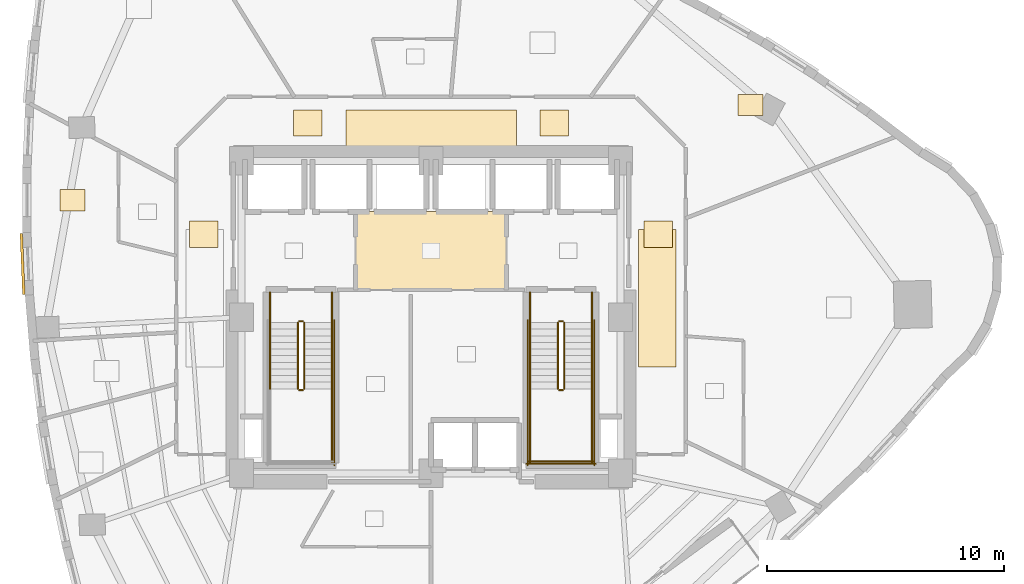
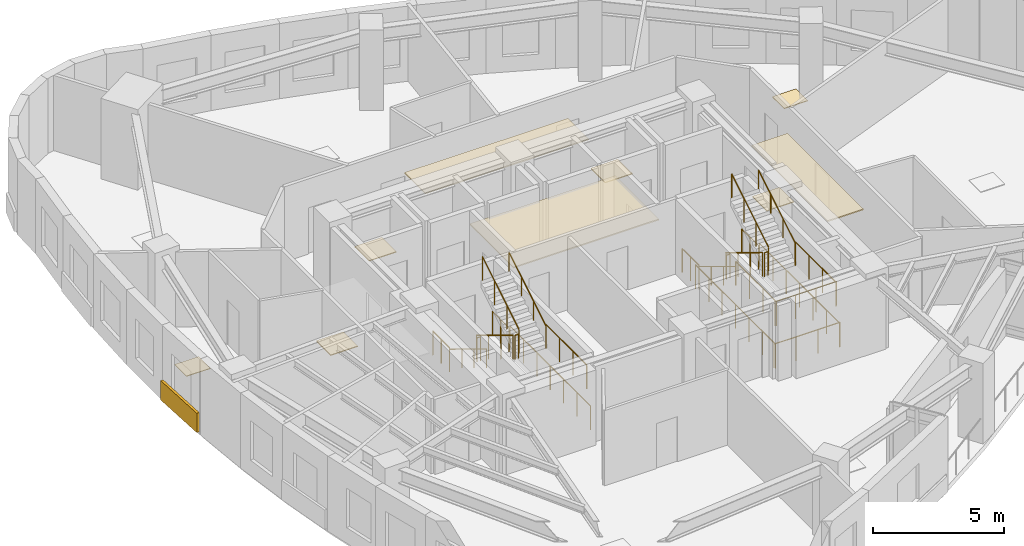
# One storey, part 10 of 11: 24 railings, 10 coverings.
"""IFC4 building model written with IfcOpenShell, lengths in metres."""

from ifc_helpers import new_model, si_unit, direction, frame, origin, origin_2d, place, context, subcontext, project, spatial, rectangle, circle, extrude, material, layer, layer_set, type_object, element, save


model = new_model("IFC4")

# Units and contexts
model_context = context("Model", 3, precision=1e-05, world=origin(), true_north=direction((0.0, 1.0)))
body_context = subcontext(model_context, "Body", "Model", "MODEL_VIEW")
ifc_project = project(units=[si_unit("LENGTHUNIT", "METRE"), si_unit("AREAUNIT", "SQUARE_METRE"), si_unit("VOLUMEUNIT", "CUBIC_METRE"), si_unit("PLANEANGLEUNIT", "RADIAN"), si_unit("MASSUNIT", "GRAM", prefix="KILO")], contexts=[model_context])

# Site, building, storey
site_placement = place(None, origin())
site = spatial("IfcSite", under=ifc_project, at=site_placement, CompositionType="ELEMENT")
building_placement = place(site_placement, origin())
building = spatial("IfcBuilding", under=site, at=building_placement, Name="Ndelora Gate Hotel", CompositionType="ELEMENT")
storey_placement = place(building_placement, frame((0.0, 0.0, 146.0)))
storey = spatial("IfcBuildingStorey", under=building, at=storey_placement, Name="L36", CompositionType="ELEMENT", Elevation=146.0)

# Coverings
ifc_material_1 = material(Name="Perforated Acoustic Gypsum Board", Category="gypsum")
ifc_layer_1 = layer(ifc_material_1, 0.054931640625)
ifc_layer_set_1 = layer_set([ifc_layer_1], Name="Perforated Acoustic Gypsum Board")
covering_type_1 = type_object("IfcCoveringType", Name="COV-CEIL-AC60", PredefinedType="CEILING", material=ifc_layer_set_1)
covering_1_placement = place(storey_placement, frame((0.0, 2.800048828125, 2.72265625), z_axis=(0.0, 0.0, 1.0), x_axis=(1.0, 0.0, 0.0)))
element("IfcCovering", 1, at=covering_1_placement, inside=storey, type_object=covering_type_1, Name="L36 Lift Lobby Acoustic Ceiling", PredefinedType="CEILING", context=body_context, shape_type="SweptSolid", body=[
    extrude(rectangle(XDim=6.39990234375, YDim=3.340087890625, at=origin_2d()), origin(), (0.0, 0.0, 1.0), 0.054931640625),
])
covering_2_placement = place(storey_placement, frame((0.0, 7.9599609375, 2.65234375), z_axis=(0.0, 0.0, 1.0), x_axis=(1.0, 0.0, 0.0)))
element("IfcCovering", 2, at=covering_2_placement, inside=storey, type_object=covering_type_1, Name="L36 Guest Corridor Acoustic Ceiling N", PredefinedType="CEILING", context=body_context, shape_type="SweptSolid", body=[
    extrude(rectangle(XDim=7.199951171875, YDim=1.580078125, at=origin_2d()), origin(), (0.0, 0.0, 1.0), 0.054931640625),
])
covering_3_placement = place(storey_placement, frame((9.550048828125, 0.800048828125, 2.65234375), z_axis=(0.0, 0.0, 1.0), x_axis=(1.0, 0.0, 0.0)))
element("IfcCovering", 3, at=covering_3_placement, inside=storey, type_object=covering_type_1, Name="L36 Guest Corridor Acoustic Ceiling E", PredefinedType="CEILING", context=body_context, shape_type="SweptSolid", body=[
    extrude(rectangle(XDim=1.580078125, YDim=5.800048828125, at=origin_2d()), origin(), (0.0, 0.0, 1.0), 0.054931640625),
])
ifc_material_2 = material(Name="Terracotta Fired Clay Brick Slip Cladding", Category="masonry")
ifc_layer_2 = layer(ifc_material_2, 0.110107421875)
ifc_layer_set_2 = layer_set([ifc_layer_2], Name="Terracotta Fired Clay Brick Slip Cladding")
covering_type_2 = type_object("IfcCoveringType", Name="COV-CLAD-BRK", PredefinedType="CLADDING", material=ifc_layer_set_2)
covering_4_placement = place(storey_placement, frame((-17.249755859375, 2.242431640625, 0.10009765625), z_axis=(0.0, 0.0, 1.0), x_axis=(-0.041003738744, 0.999158993058, 0.0)))
element("IfcCovering", 4, at=covering_4_placement, inside=storey, type_object=covering_type_2, Name="L36 Rounded-Corner Brick Cladding Band 13", PredefinedType="CLADDING", context=body_context, shape_type="SweptSolid", body=[
    extrude(rectangle(XDim=2.583984375, YDim=0.110107421875, at=origin_2d()), origin(), (0.0, 0.0, 1.0), 0.89990234375),
])
ifc_material_3 = material(Name="Engineered Highland Oak Parquet", Category="wood")
ifc_layer_3 = layer(ifc_material_3, 0.030029296875)
ifc_layer_set_3 = layer_set([ifc_layer_3], Name="Engineered Highland Oak Parquet")
covering_type_3 = type_object("IfcCoveringType", Name="COV-FLR-PARQ", PredefinedType="FLOORING", material=ifc_layer_set_3)
for number, where, z_axis, x_axis, name in (
    (5, (13.498779296875, 8.961181640625, 0.0), (0.0, 0.0, 1.0), (1.0, 0.0, 0.0), "L36 Club Fitness Gym Oak Parquet Flooring"),
    (6, (-15.135498046875, 4.940185546875, 0.0), (0.0, 0.0, 1.0), (1.0, 0.0, 0.0), "L36 Club King Guest Room 3904 Oak Parquet Flooring"),
):
    element("IfcCovering", number, at=place(storey_placement, frame(where, z_axis=z_axis, x_axis=x_axis)), inside=storey, type_object=covering_type_3, Name=name, PredefinedType="FLOORING", context=body_context, shape_type="SweptSolid", body=[
        extrude(rectangle(XDim=1.050048828125, YDim=0.89990234375, at=origin_2d()), origin(), (0.0, 0.0, 1.0), 0.030029296875),
    ])
ifc_material_4 = material(Name="Polished Highland Stone Terrazzo", Category="masonry")
ifc_layer_4 = layer(ifc_material_4, 0.034912109375)
ifc_layer_set_4 = layer_set([ifc_layer_4], Name="Polished Highland Stone Terrazzo")
covering_type_4 = type_object("IfcCoveringType", Name="COV-FLR-TERZ", PredefinedType="FLOORING", material=ifc_layer_set_4)
for number, where, z_axis, x_axis, name in (
    (7, (-5.199951171875, 8.199951171875, 0.0), (0.0, 0.0, 1.0), (1.0, 0.0, 0.0), "L36 Corridor Threshold Terrazzo Inlay NW"),
    (8, (5.199951171875, 8.199951171875, 0.0), (0.0, 0.0, 1.0), (1.0, 0.0, 0.0), "L36 Corridor Threshold Terrazzo Inlay NE"),
    (9, (-9.60009765625, 3.5, 0.0), (0.0, 0.0, 1.0), (1.0, 0.0, 0.0), "L36 Corridor Threshold Terrazzo Inlay W"),
    (10, (9.60009765625, 3.5, 0.0), (0.0, 0.0, 1.0), (1.0, 0.0, 0.0), "L36 Corridor Threshold Terrazzo Inlay E"),
):
    element("IfcCovering", number, at=place(storey_placement, frame(where, z_axis=z_axis, x_axis=x_axis)), inside=storey, type_object=covering_type_4, Name=name, PredefinedType="FLOORING", context=body_context, shape_type="SweptSolid", body=[
        extrude(rectangle(XDim=1.199951171875, YDim=1.10009765625, at=origin_2d()), origin(), (0.0, 0.0, 1.0), 0.034912109375),
    ])

# Railings
ifc_material_5 = material(Name="Painted Galvanized Steel Balustrade", Category="steel")
ifc_layer_5 = layer(ifc_material_5, 0.06005859375)
ifc_layer_set_5 = layer_set([ifc_layer_5], Name="Painted Galvanized Steel Balustrade")
railing_type_1 = type_object("IfcRailingType", Name="RL-STAIR-GD", PredefinedType="GUARDRAIL", material=ifc_layer_set_5)
railing_1_placement = place(storey_placement, frame((-5.6201171875, -0.22998046875, 0.17041015625)))
element("IfcRailing", 11, at=railing_1_placement, inside=storey, type_object=railing_type_1, Name="L36 ST4 stair guard 1", PredefinedType="GUARDRAIL", context=body_context, shape_type="SweptSolid", body=[
    extrude(circle(Radius=0.02392578125, at=origin_2d()), frame((0.0, 0.0, 1.10595703125), z_axis=(0.0, -0.854169791009, 0.51999420009), x_axis=(1.0, 0.0, 0.0)), (0.0, 0.0, 1.0), 3.278076171875),
    extrude(circle(Radius=0.02099609375, at=origin_2d()), origin(), (0.0, 0.0, 1.0), 1.081787109375),
    extrude(circle(Radius=0.02099609375, at=origin_2d()), frame((0.0, -0.933349609375, 0.568115234375)), (0.0, 0.0, 1.0), 1.081787109375),
    extrude(circle(Radius=0.02099609375, at=origin_2d()), frame((0.0, -1.86669921875, 1.136474609375)), (0.0, 0.0, 1.0), 1.081787109375),
    extrude(circle(Radius=0.02099609375, at=origin_2d()), frame((0.0, -2.800048828125, 1.70458984375)), (0.0, 0.0, 1.0), 1.081787109375),
])
railing_2_placement = place(storey_placement, frame((-5.570068359375, -3.080078125, 1.875)))
element("IfcRailing", 12, at=railing_2_placement, inside=storey, type_object=railing_type_1, Name="L36 ST4 stair guard 2", PredefinedType="GUARDRAIL", context=body_context, shape_type="SweptSolid", body=[
    extrude(circle(Radius=0.02392578125, at=origin_2d()), frame((0.0, 0.0, 1.10595703125), z_axis=(1.0, 0.0, 0.0), x_axis=(0.0, 1.0, 0.0)), (0.0, 0.0, 1.0), 0.16015625),
    extrude(circle(Radius=0.02099609375, at=origin_2d()), origin(), (0.0, 0.0, 1.0), 1.081787109375),
    extrude(circle(Radius=0.02099609375, at=origin_2d()), frame((0.16015625, 0.0, 0.0)), (0.0, 0.0, 1.0), 1.081787109375),
])
railing_3_placement = place(storey_placement, frame((-4.179931640625, -3.030029296875, 1.875)))
element("IfcRailing", 13, at=railing_3_placement, inside=storey, type_object=railing_type_1, Name="L36 ST4 stair guard 4", PredefinedType="GUARDRAIL", context=body_context, shape_type="SweptSolid", body=[
    extrude(circle(Radius=0.02392578125, at=origin_2d()), frame((0.0, 0.0, 1.10595703125), z_axis=(0.0, -1.0, 0.0), x_axis=(1.0, 0.0, 0.0)), (0.0, 0.0, 1.0), 3.119873046875),
    extrude(circle(Radius=0.02099609375, at=origin_2d()), origin(), (0.0, 0.0, 1.0), 1.081787109375),
    extrude(circle(Radius=0.02099609375, at=origin_2d()), frame((0.0, -1.0400390625, 0.0)), (0.0, 0.0, 1.0), 1.081787109375),
    extrude(circle(Radius=0.02099609375, at=origin_2d()), frame((0.0, -2.079833984375, 0.0)), (0.0, 0.0, 1.0), 1.081787109375),
    extrude(circle(Radius=0.02099609375, at=origin_2d()), frame((0.0, -3.119873046875, 0.0)), (0.0, 0.0, 1.0), 1.081787109375),
])
railing_4_placement = place(storey_placement, frame((-5.360107421875, -3.030029296875, 2.04541015625)))
element("IfcRailing", 14, at=railing_4_placement, inside=storey, type_object=railing_type_1, Name="L36 ST4 stair guard 6", PredefinedType="GUARDRAIL", context=body_context, shape_type="SweptSolid", body=[
    extrude(circle(Radius=0.02392578125, at=origin_2d()), frame((0.0, 0.0, 1.10595703125), z_axis=(0.0, 0.854169791009, 0.51999420009), x_axis=(-1.0, 0.0, 0.0)), (0.0, 0.0, 1.0), 3.278076171875),
    extrude(circle(Radius=0.02099609375, at=origin_2d()), origin(), (0.0, 0.0, 1.0), 1.081787109375),
    extrude(circle(Radius=0.02099609375, at=origin_2d()), frame((0.0, 0.933349609375, 0.568115234375)), (0.0, 0.0, 1.0), 1.081787109375),
    extrude(circle(Radius=0.02099609375, at=origin_2d()), frame((0.0, 1.86669921875, 1.136474609375)), (0.0, 0.0, 1.0), 1.081787109375),
    extrude(circle(Radius=0.02099609375, at=origin_2d()), frame((0.0, 2.800048828125, 1.70458984375)), (0.0, 0.0, 1.0), 1.081787109375),
])
railing_5_placement = place(storey_placement, frame((-5.570068359375, -0.179931640625, 0.0)))
element("IfcRailing", 15, at=railing_5_placement, inside=storey, type_object=railing_type_1, Name="L36 ST4 stair guard 7", PredefinedType="GUARDRAIL", context=body_context, shape_type="SweptSolid", body=[
    extrude(circle(Radius=0.02392578125, at=origin_2d()), frame((0.0, 0.0, 1.10595703125), z_axis=(1.0, 0.0, 0.0), x_axis=(0.0, 1.0, 0.0)), (0.0, 0.0, 1.0), 0.16015625),
    extrude(circle(Radius=0.02099609375, at=origin_2d()), origin(), (0.0, 0.0, 1.0), 1.081787109375),
    extrude(circle(Radius=0.02099609375, at=origin_2d()), frame((0.16015625, 0.0, 0.0)), (0.0, 0.0, 1.0), 1.081787109375),
])
for number, where, name in (
    (16, (-6.800048828125, 1.050048828125, 0.0), "L36 ST4 stair guard 8"),
    (17, (-4.179931640625, 1.050048828125, 0.0), "L36 ST4 stair guard 9"),
):
    element("IfcRailing", number, at=place(storey_placement, frame(where)), inside=storey, type_object=railing_type_1, Name=name, PredefinedType="GUARDRAIL", context=body_context, shape_type="SweptSolid", body=[
        extrude(circle(Radius=0.02392578125, at=origin_2d()), frame((0.0, 0.0, 1.10595703125), z_axis=(0.0, -1.0, 0.0), x_axis=(1.0, 0.0, 0.0)), (0.0, 0.0, 1.0), 1.280029296875),
        extrude(circle(Radius=0.02099609375, at=origin_2d()), origin(), (0.0, 0.0, 1.0), 1.081787109375),
        extrude(circle(Radius=0.02099609375, at=origin_2d()), frame((0.0, -0.64013671875, 0.0)), (0.0, 0.0, 1.0), 1.081787109375),
        extrude(circle(Radius=0.02099609375, at=origin_2d()), frame((0.0, -1.280029296875, 0.0)), (0.0, 0.0, 1.0), 1.081787109375),
    ])
railing_6_placement = place(storey_placement, frame((-4.080078125, -0.1298828125, 0.0)))
element("IfcRailing", 18, at=railing_6_placement, inside=storey, type_object=railing_type_1, Name="L36 ST4 stair guard 11", PredefinedType="GUARDRAIL", context=body_context, shape_type="SweptSolid", body=[
    extrude(circle(Radius=0.02392578125, at=origin_2d()), frame((0.0, 0.0, 1.10595703125), z_axis=(0.0, -1.0, 0.0), x_axis=(1.0, 0.0, 0.0)), (0.0, 0.0, 1.0), 6.1201171875),
    extrude(circle(Radius=0.02099609375, at=origin_2d()), origin(), (0.0, 0.0, 1.0), 1.081787109375),
    extrude(circle(Radius=0.02099609375, at=origin_2d()), frame((0.0, -1.02001953125, 0.0)), (0.0, 0.0, 1.0), 1.081787109375),
    extrude(circle(Radius=0.02099609375, at=origin_2d()), frame((0.0, -2.0400390625, 0.0)), (0.0, 0.0, 1.0), 1.081787109375),
    extrude(circle(Radius=0.02099609375, at=origin_2d()), frame((0.0, -3.06005859375, 0.0)), (0.0, 0.0, 1.0), 1.081787109375),
    extrude(circle(Radius=0.02099609375, at=origin_2d()), frame((0.0, -4.080078125, 0.0)), (0.0, 0.0, 1.0), 1.081787109375),
    extrude(circle(Radius=0.02099609375, at=origin_2d()), frame((0.0, -5.10009765625, 0.0)), (0.0, 0.0, 1.0), 1.081787109375),
    extrude(circle(Radius=0.02099609375, at=origin_2d()), frame((0.0, -6.1201171875, 0.0)), (0.0, 0.0, 1.0), 1.081787109375),
])
railing_7_placement = place(storey_placement, frame((5.360107421875, -0.22998046875, 0.17041015625)))
element("IfcRailing", 19, at=railing_7_placement, inside=storey, type_object=railing_type_1, Name="L36 ST5 stair guard 1", PredefinedType="GUARDRAIL", context=body_context, shape_type="SweptSolid", body=[
    extrude(circle(Radius=0.02392578125, at=origin_2d()), frame((0.0, 0.0, 1.10595703125), z_axis=(0.0, -0.854169791009, 0.51999420009), x_axis=(1.0, 0.0, 0.0)), (0.0, 0.0, 1.0), 3.278076171875),
    extrude(circle(Radius=0.02099609375, at=origin_2d()), origin(), (0.0, 0.0, 1.0), 1.081787109375),
    extrude(circle(Radius=0.02099609375, at=origin_2d()), frame((0.0, -0.933349609375, 0.568115234375)), (0.0, 0.0, 1.0), 1.081787109375),
    extrude(circle(Radius=0.02099609375, at=origin_2d()), frame((0.0, -1.86669921875, 1.136474609375)), (0.0, 0.0, 1.0), 1.081787109375),
    extrude(circle(Radius=0.02099609375, at=origin_2d()), frame((0.0, -2.800048828125, 1.70458984375)), (0.0, 0.0, 1.0), 1.081787109375),
])
railing_8_placement = place(storey_placement, frame((5.409912109375, -3.080078125, 1.875)))
element("IfcRailing", 20, at=railing_8_placement, inside=storey, type_object=railing_type_1, Name="L36 ST5 stair guard 2", PredefinedType="GUARDRAIL", context=body_context, shape_type="SweptSolid", body=[
    extrude(circle(Radius=0.02392578125, at=origin_2d()), frame((0.0, 0.0, 1.10595703125), z_axis=(1.0, 0.0, 0.0), x_axis=(0.0, 1.0, 0.0)), (0.0, 0.0, 1.0), 0.16015625),
    extrude(circle(Radius=0.02099609375, at=origin_2d()), origin(), (0.0, 0.0, 1.0), 1.081787109375),
    extrude(circle(Radius=0.02099609375, at=origin_2d()), frame((0.16015625, 0.0, 0.0)), (0.0, 0.0, 1.0), 1.081787109375),
])
for number, where, name in (
    (21, (4.179931640625, -3.030029296875, 1.875), "L36 ST5 stair guard 3"),
    (22, (6.800048828125, -3.030029296875, 1.875), "L36 ST5 stair guard 4"),
):
    element("IfcRailing", number, at=place(storey_placement, frame(where)), inside=storey, type_object=railing_type_1, Name=name, PredefinedType="GUARDRAIL", context=body_context, shape_type="SweptSolid", body=[
        extrude(circle(Radius=0.02392578125, at=origin_2d()), frame((0.0, 0.0, 1.10595703125), z_axis=(0.0, -1.0, 0.0), x_axis=(1.0, 0.0, 0.0)), (0.0, 0.0, 1.0), 3.119873046875),
        extrude(circle(Radius=0.02099609375, at=origin_2d()), origin(), (0.0, 0.0, 1.0), 1.081787109375),
        extrude(circle(Radius=0.02099609375, at=origin_2d()), frame((0.0, -1.0400390625, 0.0)), (0.0, 0.0, 1.0), 1.081787109375),
        extrude(circle(Radius=0.02099609375, at=origin_2d()), frame((0.0, -2.079833984375, 0.0)), (0.0, 0.0, 1.0), 1.081787109375),
        extrude(circle(Radius=0.02099609375, at=origin_2d()), frame((0.0, -3.119873046875, 0.0)), (0.0, 0.0, 1.0), 1.081787109375),
    ])
railing_9_placement = place(storey_placement, frame((4.1298828125, -6.10009765625, 1.875)))
element("IfcRailing", 23, at=railing_9_placement, inside=storey, type_object=railing_type_1, Name="L36 ST5 stair guard 5", PredefinedType="GUARDRAIL", context=body_context, shape_type="SweptSolid", body=[
    extrude(circle(Radius=0.02392578125, at=origin_2d()), frame((0.0, 0.0, 1.10595703125), z_axis=(1.0, 0.0, 0.0), x_axis=(0.0, 1.0, 0.0)), (0.0, 0.0, 1.0), 2.72021484375),
    extrude(circle(Radius=0.02099609375, at=origin_2d()), origin(), (0.0, 0.0, 1.0), 1.081787109375),
    extrude(circle(Radius=0.02099609375, at=origin_2d()), frame((0.90673828125, 0.0, 0.0)), (0.0, 0.0, 1.0), 1.081787109375),
    extrude(circle(Radius=0.02099609375, at=origin_2d()), frame((1.8134765625, 0.0, 0.0)), (0.0, 0.0, 1.0), 1.081787109375),
    extrude(circle(Radius=0.02099609375, at=origin_2d()), frame((2.72021484375, 0.0, 0.0)), (0.0, 0.0, 1.0), 1.081787109375),
])
railing_10_placement = place(storey_placement, frame((5.6201171875, -3.030029296875, 2.04541015625)))
element("IfcRailing", 24, at=railing_10_placement, inside=storey, type_object=railing_type_1, Name="L36 ST5 stair guard 6", PredefinedType="GUARDRAIL", context=body_context, shape_type="SweptSolid", body=[
    extrude(circle(Radius=0.02392578125, at=origin_2d()), frame((0.0, 0.0, 1.10595703125), z_axis=(0.0, 0.854169791009, 0.51999420009), x_axis=(-1.0, 0.0, 0.0)), (0.0, 0.0, 1.0), 3.278076171875),
    extrude(circle(Radius=0.02099609375, at=origin_2d()), origin(), (0.0, 0.0, 1.0), 1.081787109375),
    extrude(circle(Radius=0.02099609375, at=origin_2d()), frame((0.0, 0.933349609375, 0.568115234375)), (0.0, 0.0, 1.0), 1.081787109375),
    extrude(circle(Radius=0.02099609375, at=origin_2d()), frame((0.0, 1.86669921875, 1.136474609375)), (0.0, 0.0, 1.0), 1.081787109375),
    extrude(circle(Radius=0.02099609375, at=origin_2d()), frame((0.0, 2.800048828125, 1.70458984375)), (0.0, 0.0, 1.0), 1.081787109375),
])
railing_11_placement = place(storey_placement, frame((5.409912109375, -0.179931640625, 0.0)))
element("IfcRailing", 25, at=railing_11_placement, inside=storey, type_object=railing_type_1, Name="L36 ST5 stair guard 7", PredefinedType="GUARDRAIL", context=body_context, shape_type="SweptSolid", body=[
    extrude(circle(Radius=0.02392578125, at=origin_2d()), frame((0.0, 0.0, 1.10595703125), z_axis=(1.0, 0.0, 0.0), x_axis=(0.0, 1.0, 0.0)), (0.0, 0.0, 1.0), 0.16015625),
    extrude(circle(Radius=0.02099609375, at=origin_2d()), origin(), (0.0, 0.0, 1.0), 1.081787109375),
    extrude(circle(Radius=0.02099609375, at=origin_2d()), frame((0.16015625, 0.0, 0.0)), (0.0, 0.0, 1.0), 1.081787109375),
])
for number, where, name in (
    (26, (4.179931640625, 1.050048828125, 0.0), "L36 ST5 stair guard 8"),
    (27, (6.800048828125, 1.050048828125, 0.0), "L36 ST5 stair guard 9"),
):
    element("IfcRailing", number, at=place(storey_placement, frame(where)), inside=storey, type_object=railing_type_1, Name=name, PredefinedType="GUARDRAIL", context=body_context, shape_type="SweptSolid", body=[
        extrude(circle(Radius=0.02392578125, at=origin_2d()), frame((0.0, 0.0, 1.10595703125), z_axis=(0.0, -1.0, 0.0), x_axis=(1.0, 0.0, 0.0)), (0.0, 0.0, 1.0), 1.280029296875),
        extrude(circle(Radius=0.02099609375, at=origin_2d()), origin(), (0.0, 0.0, 1.0), 1.081787109375),
        extrude(circle(Radius=0.02099609375, at=origin_2d()), frame((0.0, -0.64013671875, 0.0)), (0.0, 0.0, 1.0), 1.081787109375),
        extrude(circle(Radius=0.02099609375, at=origin_2d()), frame((0.0, -1.280029296875, 0.0)), (0.0, 0.0, 1.0), 1.081787109375),
    ])
for number, where, name in (
    (28, (4.080078125, -0.1298828125, 0.0), "L36 ST5 stair guard 10"),
    (29, (6.89990234375, -0.1298828125, 0.0), "L36 ST5 stair guard 11"),
):
    element("IfcRailing", number, at=place(storey_placement, frame(where)), inside=storey, type_object=railing_type_1, Name=name, PredefinedType="GUARDRAIL", context=body_context, shape_type="SweptSolid", body=[
        extrude(circle(Radius=0.02392578125, at=origin_2d()), frame((0.0, 0.0, 1.10595703125), z_axis=(0.0, -1.0, 0.0), x_axis=(1.0, 0.0, 0.0)), (0.0, 0.0, 1.0), 6.1201171875),
        extrude(circle(Radius=0.02099609375, at=origin_2d()), origin(), (0.0, 0.0, 1.0), 1.081787109375),
        extrude(circle(Radius=0.02099609375, at=origin_2d()), frame((0.0, -1.02001953125, 0.0)), (0.0, 0.0, 1.0), 1.081787109375),
        extrude(circle(Radius=0.02099609375, at=origin_2d()), frame((0.0, -2.0400390625, 0.0)), (0.0, 0.0, 1.0), 1.081787109375),
        extrude(circle(Radius=0.02099609375, at=origin_2d()), frame((0.0, -3.06005859375, 0.0)), (0.0, 0.0, 1.0), 1.081787109375),
        extrude(circle(Radius=0.02099609375, at=origin_2d()), frame((0.0, -4.080078125, 0.0)), (0.0, 0.0, 1.0), 1.081787109375),
        extrude(circle(Radius=0.02099609375, at=origin_2d()), frame((0.0, -5.10009765625, 0.0)), (0.0, 0.0, 1.0), 1.081787109375),
        extrude(circle(Radius=0.02099609375, at=origin_2d()), frame((0.0, -6.1201171875, 0.0)), (0.0, 0.0, 1.0), 1.081787109375),
    ])
railing_12_placement = place(storey_placement, frame((4.030029296875, -6.199951171875, 0.0)))
element("IfcRailing", 30, at=railing_12_placement, inside=storey, type_object=railing_type_1, Name="L36 ST5 stair guard 12", PredefinedType="GUARDRAIL", context=body_context, shape_type="SweptSolid", body=[
    extrude(circle(Radius=0.02392578125, at=origin_2d()), frame((0.0, 0.0, 1.10595703125), z_axis=(1.0, 0.0, 0.0), x_axis=(0.0, 1.0, 0.0)), (0.0, 0.0, 1.0), 2.919921875),
    extrude(circle(Radius=0.02099609375, at=origin_2d()), origin(), (0.0, 0.0, 1.0), 1.081787109375),
    extrude(circle(Radius=0.02099609375, at=origin_2d()), frame((0.973388671875, 0.0, 0.0)), (0.0, 0.0, 1.0), 1.081787109375),
    extrude(circle(Radius=0.02099609375, at=origin_2d()), frame((1.946533203125, 0.0, 0.0)), (0.0, 0.0, 1.0), 1.081787109375),
    extrude(circle(Radius=0.02099609375, at=origin_2d()), frame((2.919921875, 0.0, 0.0)), (0.0, 0.0, 1.0), 1.081787109375),
])
ifc_material_6 = material(Name="Brushed Stainless Steel 316", Category="steel")
ifc_layer_6 = layer(ifc_material_6, 0.050048828125)
ifc_layer_set_6 = layer_set([ifc_layer_6], Name="Brushed Stainless Steel 316")
railing_type_2 = type_object("IfcRailingType", Name="RL-STAIR-HR", PredefinedType="HANDRAIL", material=ifc_layer_set_6)
railing_13_placement = place(storey_placement, frame((-6.800048828125, -0.22998046875, 0.17041015625)))
element("IfcRailing", 31, at=railing_13_placement, inside=storey, type_object=railing_type_2, Name="L36 ST4 stair handrail 1", PredefinedType="HANDRAIL", context=body_context, shape_type="SweptSolid", body=[
    extrude(circle(Radius=0.02392578125, at=origin_2d()), frame((0.0, 0.0, 0.8759765625), z_axis=(0.0, -0.854169791009, 0.51999420009), x_axis=(1.0, 0.0, 0.0)), (0.0, 0.0, 1.0), 3.278076171875),
    extrude(circle(Radius=0.02099609375, at=origin_2d()), origin(), (0.0, 0.0, 1.0), 0.851806640625),
    extrude(circle(Radius=0.02099609375, at=origin_2d()), frame((0.0, -0.933349609375, 0.568115234375)), (0.0, 0.0, 1.0), 0.851806640625),
    extrude(circle(Radius=0.02099609375, at=origin_2d()), frame((0.0, -1.86669921875, 1.136474609375)), (0.0, 0.0, 1.0), 0.851806640625),
    extrude(circle(Radius=0.02099609375, at=origin_2d()), frame((0.0, -2.800048828125, 1.70458984375)), (0.0, 0.0, 1.0), 0.851806640625),
])
railing_14_placement = place(storey_placement, frame((-4.179931640625, -3.030029296875, 2.04541015625)))
element("IfcRailing", 32, at=railing_14_placement, inside=storey, type_object=railing_type_2, Name="L36 ST4 stair handrail 2", PredefinedType="HANDRAIL", context=body_context, shape_type="SweptSolid", body=[
    extrude(circle(Radius=0.02392578125, at=origin_2d()), frame((0.0, 0.0, 0.8759765625), z_axis=(0.0, 0.854169791009, 0.51999420009), x_axis=(-1.0, 0.0, 0.0)), (0.0, 0.0, 1.0), 3.278076171875),
    extrude(circle(Radius=0.02099609375, at=origin_2d()), origin(), (0.0, 0.0, 1.0), 0.851806640625),
    extrude(circle(Radius=0.02099609375, at=origin_2d()), frame((0.0, 0.933349609375, 0.568115234375)), (0.0, 0.0, 1.0), 0.851806640625),
    extrude(circle(Radius=0.02099609375, at=origin_2d()), frame((0.0, 1.86669921875, 1.136474609375)), (0.0, 0.0, 1.0), 0.851806640625),
    extrude(circle(Radius=0.02099609375, at=origin_2d()), frame((0.0, 2.800048828125, 1.70458984375)), (0.0, 0.0, 1.0), 0.851806640625),
])
railing_15_placement = place(storey_placement, frame((4.179931640625, -0.22998046875, 0.17041015625)))
element("IfcRailing", 33, at=railing_15_placement, inside=storey, type_object=railing_type_2, Name="L36 ST5 stair handrail 1", PredefinedType="HANDRAIL", context=body_context, shape_type="SweptSolid", body=[
    extrude(circle(Radius=0.02392578125, at=origin_2d()), frame((0.0, 0.0, 0.8759765625), z_axis=(0.0, -0.854169791009, 0.51999420009), x_axis=(1.0, 0.0, 0.0)), (0.0, 0.0, 1.0), 3.278076171875),
    extrude(circle(Radius=0.02099609375, at=origin_2d()), origin(), (0.0, 0.0, 1.0), 0.851806640625),
    extrude(circle(Radius=0.02099609375, at=origin_2d()), frame((0.0, -0.933349609375, 0.568115234375)), (0.0, 0.0, 1.0), 0.851806640625),
    extrude(circle(Radius=0.02099609375, at=origin_2d()), frame((0.0, -1.86669921875, 1.136474609375)), (0.0, 0.0, 1.0), 0.851806640625),
    extrude(circle(Radius=0.02099609375, at=origin_2d()), frame((0.0, -2.800048828125, 1.70458984375)), (0.0, 0.0, 1.0), 0.851806640625),
])
railing_16_placement = place(storey_placement, frame((6.800048828125, -3.030029296875, 2.04541015625)))
element("IfcRailing", 34, at=railing_16_placement, inside=storey, type_object=railing_type_2, Name="L36 ST5 stair handrail 2", PredefinedType="HANDRAIL", context=body_context, shape_type="SweptSolid", body=[
    extrude(circle(Radius=0.02392578125, at=origin_2d()), frame((0.0, 0.0, 0.8759765625), z_axis=(0.0, 0.854169791009, 0.51999420009), x_axis=(-1.0, 0.0, 0.0)), (0.0, 0.0, 1.0), 3.278076171875),
    extrude(circle(Radius=0.02099609375, at=origin_2d()), origin(), (0.0, 0.0, 1.0), 0.851806640625),
    extrude(circle(Radius=0.02099609375, at=origin_2d()), frame((0.0, 0.933349609375, 0.568115234375)), (0.0, 0.0, 1.0), 0.851806640625),
    extrude(circle(Radius=0.02099609375, at=origin_2d()), frame((0.0, 1.86669921875, 1.136474609375)), (0.0, 0.0, 1.0), 0.851806640625),
    extrude(circle(Radius=0.02099609375, at=origin_2d()), frame((0.0, 2.800048828125, 1.70458984375)), (0.0, 0.0, 1.0), 0.851806640625),
])

save(model, "model.ifc")
